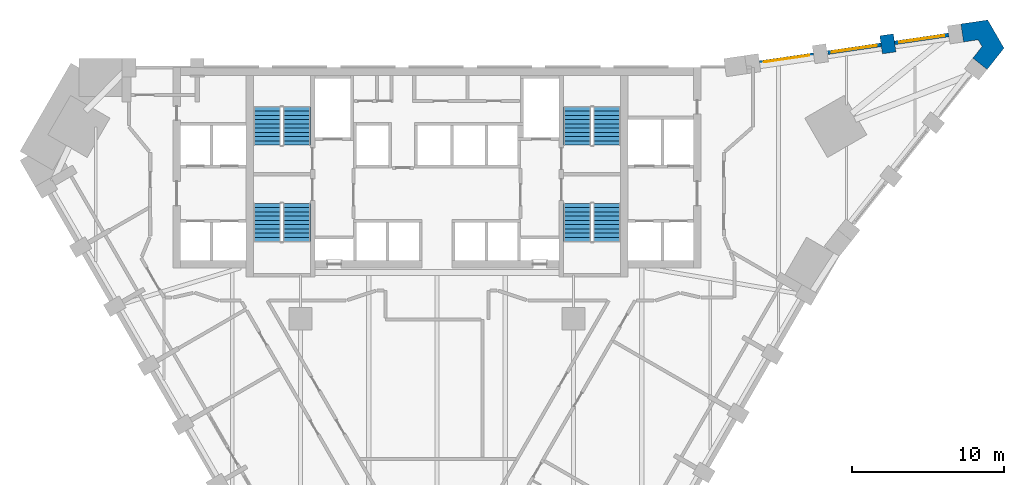
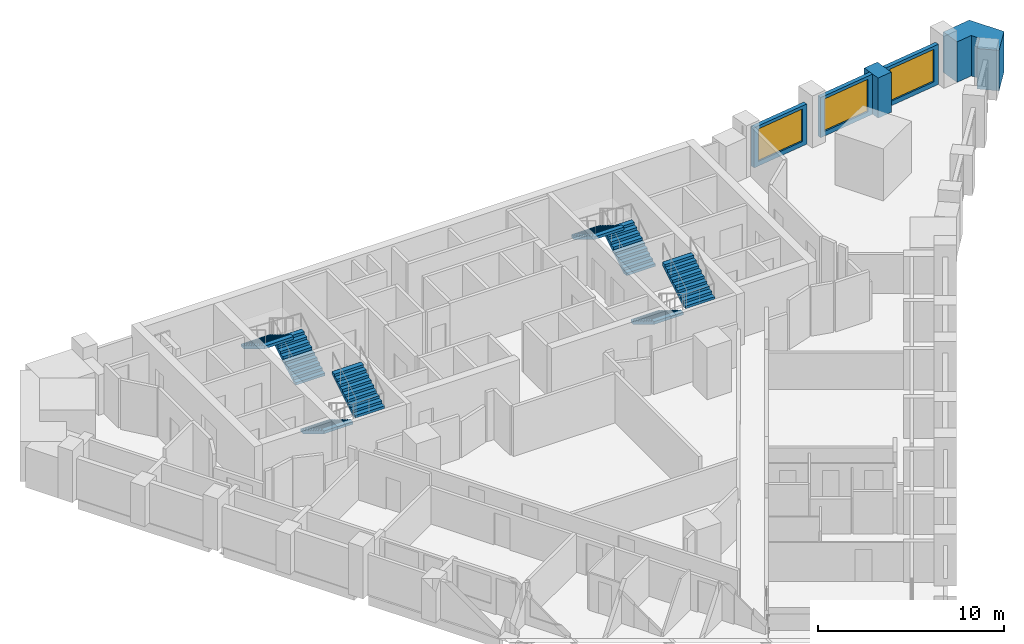
# One storey, part 9 of 10: 8 stair flights, 5 walls, 3 windows, 3 openings, 4 elements without a shape of their own.
"""IFC4 building model written with IfcOpenShell, lengths in metres."""

from ifc_helpers import new_model, si_unit, direction, frame, frame_2d, origin, place, context, subcontext, project, spatial, polyline, rectangle, outline, extrude, faceted_brep, source, transform, mapped, material, layer, layer_set, type_object, element, fill, aggregate, save


model = new_model("IFC4")

# Units and contexts
model_context = context("Model", 3, precision=1e-05, world=origin(), true_north=direction((0.0, 1.0)))
body_context = subcontext(model_context, "Body", "Model", "MODEL_VIEW")
ifc_project = project(units=[si_unit("LENGTHUNIT", "METRE"), si_unit("AREAUNIT", "SQUARE_METRE"), si_unit("VOLUMEUNIT", "CUBIC_METRE"), si_unit("PLANEANGLEUNIT", "RADIAN"), si_unit("MASSUNIT", "GRAM", prefix="KILO")], contexts=[model_context])

# Site, building, storey
site_placement = place(None, origin())
site = spatial("IfcSite", under=ifc_project, at=site_placement, CompositionType="ELEMENT")
building_placement = place(site_placement, origin())
building = spatial("IfcBuilding", under=site, at=building_placement, Name="Calabash Gate Tower", CompositionType="ELEMENT")
storey_placement = place(building_placement, frame((0.0, 0.0, 95.199951171875)))
storey = spatial("IfcBuildingStorey", under=building, at=storey_placement, Name="L20", CompositionType="ELEMENT", Elevation=95.199951171875)

# Walls
ifc_material_1 = material(Name="Terracotta brick masonry, exposed face", Category="masonry")
ifc_layer_1 = layer(ifc_material_1, 1.199951171875)
ifc_layer_set_1 = layer_set([ifc_layer_1], Name="Brick end wall 1200")
wall_type_1 = type_object("IfcWallType", Name="Brick end wall 1200", PredefinedType="SOLIDWALL", material=ifc_layer_set_1)
wall_1_placement = place(storey_placement, frame((29.63037109375, 21.217041015625, 0.0), z_axis=(0.0, 0.0, 1.0), x_axis=(0.144867198998, -0.989451107764, 0.0)))
element("IfcWall", 1, at=wall_1_placement, inside=storey, type_object=wall_type_1, Name="Brick pier S05 wedge5.1", PredefinedType="SOLIDWALL", context=body_context, shape_type="SweptSolid", body=[
    extrude(rectangle(XDim=1.199951171875, YDim=0.89990234375, at=frame_2d((0.60009765625, 0.0))), origin(), (0.0, 0.0, 1.0), 2.630126953125),
])
wall_2_placement = place(storey_placement, origin())
element("IfcWall", 2, at=wall_2_placement, inside=storey, type_object=wall_type_1, Name="Brick end wall S05 2", PredefinedType="SOLIDWALL", context=body_context, shape_type="SweptSolid", body=[
    extrude(outline(polyline([(35.92333984375, 20.443359375), (35.31884765625, 19.678955078125), (36.260009765625, 18.9345703125), (37.369873046875, 20.337890625), (36.298095703125, 22.1943359375), (34.5283203125, 21.934814453125), (34.701904296875, 20.74755859375), (35.666259765625, 20.888916015625), (35.92333984375, 20.443359375)])), origin(), (0.0, 0.0, 1.0), 2.650146484375),
])

# Wall, opening, window
ifc_material_2 = material(Name="Aluminium framed window wall with insulated spandrel", Category="aluminium")
ifc_layer_2 = layer(ifc_material_2, 0.25)
ifc_layer_set_2 = layer_set([ifc_layer_2], Name="Prow window wall 250")
wall_type_2 = type_object("IfcWallType", Name="Prow window wall 250", PredefinedType="ELEMENTEDWALL", material=ifc_layer_set_2)
wall_3_placement = place(storey_placement, frame((33.724609375, 21.210693359375, 0.0), z_axis=(0.0, 0.0, 1.0), x_axis=(-0.98942335115, -0.145056651687, 0.0)))
wall_3 = element("IfcWall", 3, at=wall_3_placement, inside=storey, type_object=wall_type_2, Name="Prow window wall S05 wedge5.1", PredefinedType="ELEMENTEDWALL", context=body_context, shape_type="SweptSolid", body=[
    extrude(rectangle(XDim=3.60009765625, YDim=0.25, at=frame_2d((1.800048828125, 0.0))), origin(), (0.0, 0.0, 1.0), 2.630126953125),
])
opening_1_placement = place(wall_3_placement, frame((0.300048828125, 0.0, 0.300048828125)))
opening_1 = element("IfcOpeningElement", 4, at=opening_1_placement, cuts=wall_3, Name="Opening WP1L-2130", PredefinedType="OPENING", context=body_context, shape_type="SweptSolid", body=[
    extrude(rectangle(XDim=3.0, YDim=2.1298828125, at=frame_2d((1.5, 1.06494140625))), frame((0.0, 0.135009765625, 0.0), z_axis=(0.0, -1.0, 0.0), x_axis=(1.0, 0.0, 0.0)), (0.0, 0.0, 1.0), 0.27001953125),
])
ifc_material_3 = material(Name="Anodised aluminium frame, bronze finish, impact-rated laminated clear glazing", Category="aluminium")
window_type = type_object("IfcWindowType", Name="Window WP1L 3000x2130", PartitioningType="DOUBLE_PANEL_VERTICAL", PredefinedType="WINDOW", material=ifc_material_3)
window_1_placement = place(opening_1_placement, origin())
window_1 = element("IfcWindow", 5, at=window_1_placement, inside=storey, type_object=window_type, Name="Prow window WP1L S05 wedge5.1", OverallHeight=2.1298828125, OverallWidth=3.0, PartitioningType="SINGLE_PANEL", PredefinedType="WINDOW", context=body_context, shape_type="SweptSolid", body=[
    extrude(rectangle(XDim=3.0, YDim=2.1298828125, at=frame_2d((1.5, 1.06494140625))), frame((0.0, 0.030029296875, 0.0), z_axis=(0.0, -1.0, 0.0), x_axis=(1.0, 0.0, 0.0)), (0.0, 0.0, 1.0), 0.06005859375),
])
fill(opening_1, window_1)

wall_4_placement = place(storey_placement, frame((29.27392578125, 20.558349609375, 0.0), z_axis=(0.0, 0.0, 1.0), x_axis=(-0.989427410985, -0.145028957081, 0.0)))
wall_4 = element("IfcWall", 6, at=wall_4_placement, inside=storey, type_object=wall_type_2, Name="Prow window wall S05 wedge5.2", PredefinedType="ELEMENTEDWALL", context=body_context, shape_type="SweptSolid", body=[
    extrude(rectangle(XDim=3.552001953125, YDim=0.25, at=frame_2d((1.77587890625, 0.0))), origin(), (0.0, 0.0, 1.0), 2.630126953125),
])
opening_2_placement = place(wall_4_placement, frame((0.302001953125, 0.0, 0.300048828125)))
opening_2 = element("IfcOpeningElement", 7, at=opening_2_placement, cuts=wall_4, Name="Opening WP1L-2130", PredefinedType="OPENING", context=body_context, shape_type="SweptSolid", body=[
    extrude(rectangle(XDim=3.0, YDim=2.1298828125, at=frame_2d((1.5, 1.06494140625))), frame((0.0, 0.135009765625, 0.0), z_axis=(0.0, -1.0, 0.0), x_axis=(1.0, 0.0, 0.0)), (0.0, 0.0, 1.0), 0.27001953125),
])
window_2_placement = place(opening_2_placement, origin())
window_2 = element("IfcWindow", 8, at=window_2_placement, inside=storey, type_object=window_type, Name="Prow window WP1L S05 wedge5.2", OverallHeight=2.1298828125, OverallWidth=3.0, PartitioningType="SINGLE_PANEL", PredefinedType="WINDOW", context=body_context, shape_type="SweptSolid", body=[
    extrude(rectangle(XDim=3.0, YDim=2.1298828125, at=frame_2d((1.5, 1.06494140625))), frame((0.0, 0.030029296875, 0.0), z_axis=(0.0, -1.0, 0.0), x_axis=(1.0, 0.0, 0.0)), (0.0, 0.0, 1.0), 0.06005859375),
])
fill(opening_2, window_2)

wall_5_placement = place(storey_placement, frame((24.819580078125, 19.905517578125, 0.0), z_axis=(0.0, 0.0, 1.0), x_axis=(-0.989433082017, -0.144990262464, 0.0)))
wall_5 = element("IfcWall", 9, at=wall_5_placement, inside=storey, type_object=wall_type_2, Name="Prow window wall S05 wedge5.3", PredefinedType="ELEMENTEDWALL", context=body_context, shape_type="SweptSolid", body=[
    extrude(rectangle(XDim=3.60009765625, YDim=0.25, at=frame_2d((1.800048828125, 0.0))), origin(), (0.0, 0.0, 1.0), 2.630126953125),
])
opening_3_placement = place(wall_5_placement, frame((0.300048828125, 0.0, 0.300048828125)))
opening_3 = element("IfcOpeningElement", 10, at=opening_3_placement, cuts=wall_5, Name="Opening WP1L-2130", PredefinedType="OPENING", context=body_context, shape_type="SweptSolid", body=[
    extrude(rectangle(XDim=3.0, YDim=2.1298828125, at=frame_2d((1.5, 1.06494140625))), frame((0.0, 0.135009765625, 0.0), z_axis=(0.0, -1.0, 0.0), x_axis=(1.0, 0.0, 0.0)), (0.0, 0.0, 1.0), 0.27001953125),
])
window_3_placement = place(opening_3_placement, origin())
window_3 = element("IfcWindow", 11, at=window_3_placement, inside=storey, type_object=window_type, Name="Prow window WP1L S05 wedge5.3", OverallHeight=2.1298828125, OverallWidth=3.0, PartitioningType="SINGLE_PANEL", PredefinedType="WINDOW", context=body_context, shape_type="SweptSolid", body=[
    extrude(rectangle(XDim=3.0, YDim=2.1298828125, at=frame_2d((1.5, 1.06494140625))), frame((0.0, 0.030029296875, 0.0), z_axis=(0.0, -1.0, 0.0), x_axis=(1.0, 0.0, 0.0)), (0.0, 0.0, 1.0), 0.06005859375),
])
fill(opening_3, window_3)

# Stair, stair flights
ifc_material_4 = material(Name="Concrete C40/50", Category="concrete")
stair_type = type_object("IfcStairType", Name="Exit stair 20 risers of 170 mm", PredefinedType="HALF_TURN_STAIR", material=ifc_material_4)
stair_1_placement = place(storey_placement, origin())
stair_1 = element("IfcStair", 12, at=stair_1_placement, inside=storey, type_object=stair_type, Name="L20 Exit stair ST1", PredefinedType="HALF_TURN_STAIR")
ifc_material_5 = material(Name="Concrete C40/50", Category="concrete")
stair_flight_type = type_object("IfcStairFlightType", Name="Exit stair flight SFL", PredefinedType="STRAIGHT", material=ifc_material_5)
shared_shape = source(origin(), body_context, "Body", "Brep", [
    faceted_brep([(-0.0009765625, -0.89990234375, 0.0), (0.2880859375, -0.89990234375, 0.0), (2.511962890625, -0.89990234375, 1.3544921875), (-0.0009765625, 0.89990234375, 0.0), (2.511962890625, 0.89990234375, 1.3544921875), (0.2880859375, 0.89990234375, 0.0), (2.511962890625, -0.89990234375, 1.5419921875), (2.510986328125, -0.89990234375, 1.5419921875), (2.510986328125, 0.89990234375, 1.5419921875), (2.511962890625, 0.89990234375, 1.5419921875), (2.510986328125, -0.89990234375, 1.530029296875), (2.510986328125, 0.89990234375, 1.530029296875), (2.23193359375, -0.89990234375, 1.530029296875), (2.23193359375, 0.89990234375, 1.530029296875), (2.23193359375, -0.89990234375, 1.360107421875), (2.23193359375, 0.89990234375, 1.360107421875), (1.952880859375, -0.89990234375, 1.360107421875), (1.952880859375, 0.89990234375, 1.360107421875), (1.952880859375, -0.89990234375, 1.18994140625), (1.952880859375, 0.89990234375, 1.18994140625), (1.674072265625, -0.89990234375, 1.18994140625), (1.674072265625, -0.89990234375, 1.02001953125), (1.674072265625, 0.89990234375, 1.02001953125), (1.674072265625, 0.89990234375, 1.18994140625), (1.39501953125, -0.89990234375, 1.02001953125), (1.39501953125, -0.89990234375, 0.85009765625), (1.39501953125, 0.89990234375, 0.85009765625), (1.39501953125, 0.89990234375, 1.02001953125), (1.115966796875, -0.89990234375, 0.85009765625), (1.115966796875, -0.89990234375, 0.679931640625), (1.115966796875, 0.89990234375, 0.679931640625), (1.115966796875, 0.89990234375, 0.85009765625), (0.8369140625, -0.89990234375, 0.679931640625), (0.8369140625, -0.89990234375, 0.510009765625), (0.8369140625, 0.89990234375, 0.510009765625), (0.8369140625, 0.89990234375, 0.679931640625), (0.55810546875, -0.89990234375, 0.510009765625), (0.55810546875, -0.89990234375, 0.340087890625), (0.55810546875, 0.89990234375, 0.340087890625), (0.55810546875, 0.89990234375, 0.510009765625), (0.279052734375, -0.89990234375, 0.340087890625), (0.279052734375, -0.89990234375, 0.169921875), (0.279052734375, 0.89990234375, 0.169921875), (0.279052734375, 0.89990234375, 0.340087890625), (-0.0009765625, -0.89990234375, 0.169921875), (-0.0009765625, 0.89990234375, 0.169921875), (0.2880859375, -0.360107421875, 0.0), (2.511962890625, -0.360107421875, 1.3544921875), (0.2880859375, -0.179931640625, 0.0), (2.511962890625, -0.179931640625, 1.3544921875), (0.2880859375, 0.0, 0.0), (2.511962890625, 0.0, 1.3544921875), (0.2880859375, 0.179931640625, 0.0), (2.511962890625, 0.179931640625, 1.3544921875), (0.2880859375, 0.360107421875, 0.0), (2.511962890625, 0.360107421875, 1.3544921875), (2.511962890625, -0.360107421875, 1.5419921875), (2.511962890625, -0.179931640625, 1.5419921875), (2.511962890625, 0.0, 1.5419921875), (2.511962890625, 0.179931640625, 1.5419921875), (2.511962890625, 0.360107421875, 1.5419921875), (2.510986328125, -0.360107421875, 1.5419921875), (2.510986328125, -0.179931640625, 1.5419921875), (2.510986328125, 0.0, 1.5419921875), (2.510986328125, 0.179931640625, 1.5419921875), (2.510986328125, 0.360107421875, 1.5419921875), (2.510986328125, -0.360107421875, 1.530029296875), (2.510986328125, -0.179931640625, 1.530029296875), (2.510986328125, 0.0, 1.530029296875), (2.510986328125, 0.179931640625, 1.530029296875), (2.510986328125, 0.360107421875, 1.530029296875), (2.23193359375, -0.360107421875, 1.530029296875), (2.23193359375, -0.179931640625, 1.530029296875), (2.23193359375, 0.0, 1.530029296875), (2.23193359375, 0.179931640625, 1.530029296875), (2.23193359375, 0.360107421875, 1.530029296875), (2.23193359375, -0.360107421875, 1.360107421875), (2.23193359375, -0.179931640625, 1.360107421875), (2.23193359375, 0.0, 1.360107421875), (2.23193359375, 0.179931640625, 1.360107421875), (2.23193359375, 0.360107421875, 1.360107421875), (1.952880859375, -0.360107421875, 1.360107421875), (1.952880859375, -0.179931640625, 1.360107421875), (1.952880859375, 0.0, 1.360107421875), (1.952880859375, 0.179931640625, 1.360107421875), (1.952880859375, 0.360107421875, 1.360107421875), (1.952880859375, -0.360107421875, 1.18994140625), (1.952880859375, -0.179931640625, 1.18994140625), (1.952880859375, 0.0, 1.18994140625), (1.952880859375, 0.179931640625, 1.18994140625), (1.952880859375, 0.360107421875, 1.18994140625), (1.674072265625, -0.360107421875, 1.18994140625), (1.674072265625, -0.179931640625, 1.18994140625), (1.674072265625, 0.0, 1.18994140625), (1.674072265625, 0.179931640625, 1.18994140625), (1.674072265625, 0.360107421875, 1.18994140625), (1.674072265625, -0.360107421875, 1.02001953125), (1.674072265625, -0.179931640625, 1.02001953125), (1.674072265625, 0.0, 1.02001953125), (1.674072265625, 0.179931640625, 1.02001953125), (1.674072265625, 0.360107421875, 1.02001953125), (1.39501953125, -0.360107421875, 1.02001953125), (1.39501953125, -0.179931640625, 1.02001953125), (1.39501953125, 0.0, 1.02001953125), (1.39501953125, 0.179931640625, 1.02001953125), (1.39501953125, 0.360107421875, 1.02001953125), (1.39501953125, -0.360107421875, 0.85009765625), (1.39501953125, -0.179931640625, 0.85009765625), (1.39501953125, 0.0, 0.85009765625), (1.39501953125, 0.179931640625, 0.85009765625), (1.39501953125, 0.360107421875, 0.85009765625), (1.115966796875, -0.360107421875, 0.85009765625), (1.115966796875, -0.179931640625, 0.85009765625), (1.115966796875, 0.0, 0.85009765625), (1.115966796875, 0.179931640625, 0.85009765625), (1.115966796875, 0.360107421875, 0.85009765625), (1.115966796875, -0.360107421875, 0.679931640625), (1.115966796875, -0.179931640625, 0.679931640625), (1.115966796875, 0.0, 0.679931640625), (1.115966796875, 0.179931640625, 0.679931640625), (1.115966796875, 0.360107421875, 0.679931640625), (0.8369140625, -0.360107421875, 0.679931640625), (0.8369140625, -0.179931640625, 0.679931640625), (0.8369140625, 0.0, 0.679931640625), (0.8369140625, 0.179931640625, 0.679931640625), (0.8369140625, 0.360107421875, 0.679931640625), (0.8369140625, -0.360107421875, 0.510009765625), (0.8369140625, -0.179931640625, 0.510009765625), (0.8369140625, 0.0, 0.510009765625), (0.8369140625, 0.179931640625, 0.510009765625), (0.8369140625, 0.360107421875, 0.510009765625), (0.55810546875, -0.360107421875, 0.510009765625), (0.55810546875, -0.179931640625, 0.510009765625), (0.55810546875, 0.0, 0.510009765625), (0.55810546875, 0.179931640625, 0.510009765625), (0.55810546875, 0.360107421875, 0.510009765625), (0.55810546875, -0.360107421875, 0.340087890625), (0.55810546875, -0.179931640625, 0.340087890625), (0.55810546875, 0.0, 0.340087890625), (0.55810546875, 0.179931640625, 0.340087890625), (0.55810546875, 0.360107421875, 0.340087890625), (0.279052734375, -0.360107421875, 0.340087890625), (0.279052734375, -0.179931640625, 0.340087890625), (0.279052734375, 0.0, 0.340087890625), (0.279052734375, 0.179931640625, 0.340087890625), (0.279052734375, 0.360107421875, 0.340087890625), (0.279052734375, -0.360107421875, 0.169921875), (0.279052734375, -0.179931640625, 0.169921875), (0.279052734375, 0.0, 0.169921875), (0.279052734375, 0.179931640625, 0.169921875), (0.279052734375, 0.360107421875, 0.169921875), (-0.0009765625, -0.360107421875, 0.169921875), (-0.0009765625, -0.179931640625, 0.169921875), (-0.0009765625, 0.0, 0.169921875), (-0.0009765625, 0.179931640625, 0.169921875), (-0.0009765625, 0.360107421875, 0.169921875), (-0.0009765625, -0.360107421875, 0.0), (-0.0009765625, -0.179931640625, 0.0), (-0.0009765625, 0.0, 0.0), (-0.0009765625, 0.179931640625, 0.0), (-0.0009765625, 0.360107421875, 0.0)], [[[0, 1, 2]], [[3, 4, 5]], [[2, 6, 7]], [[4, 8, 9]], [[2, 7, 10]], [[4, 11, 8]], [[2, 10, 12]], [[4, 13, 11]], [[2, 12, 14]], [[4, 15, 13]], [[2, 14, 16]], [[4, 17, 15]], [[2, 16, 18]], [[4, 19, 17]], [[18, 20, 21]], [[19, 22, 23]], [[2, 18, 21]], [[4, 22, 19]], [[21, 24, 25]], [[22, 26, 27]], [[2, 21, 25]], [[4, 26, 22]], [[25, 28, 29]], [[26, 30, 31]], [[2, 25, 29]], [[4, 30, 26]], [[29, 32, 33]], [[30, 34, 35]], [[2, 29, 33]], [[4, 34, 30]], [[33, 36, 37]], [[34, 38, 39]], [[2, 33, 37]], [[4, 38, 34]], [[37, 40, 41]], [[38, 42, 43]], [[2, 37, 41]], [[4, 42, 38]], [[0, 2, 41]], [[3, 42, 4]], [[41, 44, 0]], [[42, 3, 45]], [[1, 46, 2]], [[46, 47, 2]], [[46, 48, 47]], [[48, 49, 47]], [[48, 50, 49]], [[50, 51, 49]], [[50, 52, 53]], [[50, 53, 51]], [[52, 54, 55]], [[52, 55, 53]], [[54, 5, 4]], [[54, 4, 55]], [[2, 47, 6]], [[47, 56, 6]], [[47, 49, 56]], [[49, 57, 56]], [[49, 51, 57]], [[51, 58, 57]], [[51, 53, 59]], [[51, 59, 58]], [[53, 55, 60]], [[53, 60, 59]], [[55, 4, 9]], [[55, 9, 60]], [[6, 56, 7]], [[56, 61, 7]], [[56, 57, 61]], [[57, 62, 61]], [[57, 58, 62]], [[58, 63, 62]], [[58, 59, 64]], [[58, 64, 63]], [[59, 60, 65]], [[59, 65, 64]], [[60, 9, 8]], [[60, 8, 65]], [[7, 61, 10]], [[61, 66, 10]], [[61, 62, 66]], [[62, 67, 66]], [[62, 63, 67]], [[63, 68, 67]], [[63, 64, 69]], [[63, 69, 68]], [[64, 65, 70]], [[64, 70, 69]], [[65, 8, 11]], [[65, 11, 70]], [[10, 66, 12]], [[66, 71, 12]], [[66, 67, 71]], [[67, 72, 71]], [[67, 68, 72]], [[68, 73, 72]], [[68, 69, 74]], [[68, 74, 73]], [[69, 70, 75]], [[69, 75, 74]], [[70, 11, 13]], [[70, 13, 75]], [[12, 71, 14]], [[71, 76, 14]], [[71, 72, 76]], [[72, 77, 76]], [[72, 73, 77]], [[73, 78, 77]], [[73, 74, 79]], [[73, 79, 78]], [[74, 75, 80]], [[74, 80, 79]], [[75, 13, 15]], [[75, 15, 80]], [[14, 76, 16]], [[76, 81, 16]], [[76, 77, 81]], [[77, 82, 81]], [[77, 78, 82]], [[78, 83, 82]], [[78, 79, 84]], [[78, 84, 83]], [[79, 80, 85]], [[79, 85, 84]], [[80, 15, 17]], [[80, 17, 85]], [[16, 81, 18]], [[81, 86, 18]], [[81, 82, 86]], [[82, 87, 86]], [[82, 83, 87]], [[83, 88, 87]], [[83, 84, 89]], [[83, 89, 88]], [[84, 85, 90]], [[84, 90, 89]], [[85, 17, 19]], [[85, 19, 90]], [[18, 86, 20]], [[86, 91, 20]], [[86, 87, 91]], [[87, 92, 91]], [[87, 88, 92]], [[88, 93, 92]], [[88, 89, 94]], [[88, 94, 93]], [[89, 90, 95]], [[89, 95, 94]], [[90, 19, 23]], [[90, 23, 95]], [[20, 91, 21]], [[91, 96, 21]], [[91, 92, 96]], [[92, 97, 96]], [[92, 93, 97]], [[93, 98, 97]], [[93, 94, 99]], [[93, 99, 98]], [[94, 95, 100]], [[94, 100, 99]], [[95, 23, 22]], [[95, 22, 100]], [[21, 96, 24]], [[96, 101, 24]], [[96, 97, 101]], [[97, 102, 101]], [[97, 98, 102]], [[98, 103, 102]], [[98, 99, 104]], [[98, 104, 103]], [[99, 100, 105]], [[99, 105, 104]], [[100, 22, 27]], [[100, 27, 105]], [[24, 101, 25]], [[101, 106, 25]], [[101, 102, 106]], [[102, 107, 106]], [[102, 103, 107]], [[103, 108, 107]], [[103, 104, 109]], [[103, 109, 108]], [[104, 105, 110]], [[104, 110, 109]], [[105, 27, 26]], [[105, 26, 110]], [[25, 106, 28]], [[106, 111, 28]], [[106, 107, 111]], [[107, 112, 111]], [[107, 108, 112]], [[108, 113, 112]], [[108, 109, 114]], [[108, 114, 113]], [[109, 110, 115]], [[109, 115, 114]], [[110, 26, 31]], [[110, 31, 115]], [[28, 111, 29]], [[111, 116, 29]], [[111, 112, 116]], [[112, 117, 116]], [[112, 113, 117]], [[113, 118, 117]], [[113, 114, 119]], [[113, 119, 118]], [[114, 115, 120]], [[114, 120, 119]], [[115, 31, 30]], [[115, 30, 120]], [[29, 116, 32]], [[116, 121, 32]], [[116, 117, 121]], [[117, 122, 121]], [[117, 118, 122]], [[118, 123, 122]], [[118, 119, 124]], [[118, 124, 123]], [[119, 120, 125]], [[119, 125, 124]], [[120, 30, 35]], [[120, 35, 125]], [[32, 121, 33]], [[121, 126, 33]], [[121, 122, 126]], [[122, 127, 126]], [[122, 123, 127]], [[123, 128, 127]], [[123, 124, 129]], [[123, 129, 128]], [[124, 125, 130]], [[124, 130, 129]], [[125, 35, 34]], [[125, 34, 130]], [[33, 126, 36]], [[126, 131, 36]], [[126, 127, 131]], [[127, 132, 131]], [[127, 128, 132]], [[128, 133, 132]], [[128, 129, 134]], [[128, 134, 133]], [[129, 130, 135]], [[129, 135, 134]], [[130, 34, 39]], [[130, 39, 135]], [[36, 131, 37]], [[131, 136, 37]], [[131, 132, 136]], [[132, 137, 136]], [[132, 133, 137]], [[133, 138, 137]], [[133, 134, 139]], [[133, 139, 138]], [[134, 135, 140]], [[134, 140, 139]], [[135, 39, 38]], [[135, 38, 140]], [[37, 136, 40]], [[136, 141, 40]], [[136, 137, 141]], [[137, 142, 141]], [[137, 138, 142]], [[138, 143, 142]], [[138, 139, 144]], [[138, 144, 143]], [[139, 140, 145]], [[139, 145, 144]], [[140, 38, 43]], [[140, 43, 145]], [[40, 141, 41]], [[141, 146, 41]], [[141, 142, 146]], [[142, 147, 146]], [[142, 143, 147]], [[143, 148, 147]], [[143, 144, 149]], [[143, 149, 148]], [[144, 145, 150]], [[144, 150, 149]], [[145, 43, 42]], [[145, 42, 150]], [[41, 146, 44]], [[146, 151, 44]], [[146, 147, 151]], [[147, 152, 151]], [[147, 148, 152]], [[148, 153, 152]], [[148, 149, 154]], [[148, 154, 153]], [[149, 150, 155]], [[149, 155, 154]], [[150, 42, 45]], [[150, 45, 155]], [[44, 151, 0]], [[151, 156, 0]], [[151, 152, 156]], [[152, 157, 156]], [[152, 153, 157]], [[153, 158, 157]], [[153, 154, 159]], [[153, 159, 158]], [[154, 155, 160]], [[154, 160, 159]], [[155, 45, 3]], [[155, 3, 160]], [[0, 156, 1]], [[156, 46, 1]], [[156, 157, 46]], [[157, 48, 46]], [[157, 158, 48]], [[158, 50, 48]], [[158, 159, 52]], [[158, 52, 50]], [[159, 160, 54]], [[159, 54, 52]], [[160, 3, 5]], [[160, 5, 54]]]),
])
stair_flight_1_placement = place(storey_placement, frame((-9.25, 13.95263671875, 0.0), z_axis=(0.0, 0.0, 1.0), x_axis=(0.0, 1.0, 0.0)))
stair_flight_1 = element("IfcStairFlight", 13, at=stair_flight_1_placement, type_object=stair_flight_type, Name="ST1 flight 1", NumberOfRisers=10, NumberOfTreads=9, PredefinedType="STRAIGHT", RiserHeight=0.17, TreadLength=0.279, context=body_context, shape_type="MappedRepresentation", body=[
    mapped(shared_shape, transform((0.0, 0.0, 0.0), scale=1.0)),
])
stair_flight_2_placement = place(storey_placement, frame((-11.199951171875, 16.463623046875, 1.699951171875), z_axis=(0.0, 0.0, 1.0), x_axis=(0.0, -1.0, 0.0)))
stair_flight_2 = element("IfcStairFlight", 14, at=stair_flight_2_placement, type_object=stair_flight_type, Name="ST1 flight 2", NumberOfRisers=10, NumberOfTreads=9, PredefinedType="STRAIGHT", RiserHeight=0.17, TreadLength=0.279, context=body_context, shape_type="MappedRepresentation", body=[
    mapped(shared_shape, transform((0.0, 0.0, 0.0), scale=1.0)),
])
aggregate(stair_1, [stair_flight_1, stair_flight_2])

stair_2_placement = place(storey_placement, origin())
stair_2 = element("IfcStair", 15, at=stair_2_placement, inside=storey, type_object=stair_type, Name="L20 Exit stair ST2", PredefinedType="HALF_TURN_STAIR")
stair_flight_3_placement = place(storey_placement, frame((-11.199951171875, 10.1025390625, 0.0), z_axis=(0.0, 0.0, 1.0), x_axis=(0.0, -1.0, 0.0)))
stair_flight_3 = element("IfcStairFlight", 16, at=stair_flight_3_placement, type_object=stair_flight_type, Name="ST2 flight 1", NumberOfRisers=10, NumberOfTreads=9, PredefinedType="STRAIGHT", RiserHeight=0.17, TreadLength=0.279, context=body_context, shape_type="MappedRepresentation", body=[
    mapped(shared_shape, transform((0.0, 0.0, 0.0), scale=1.0)),
])
stair_flight_4_placement = place(storey_placement, frame((-9.25, 7.591552734375, 1.699951171875), z_axis=(0.0, 0.0, 1.0), x_axis=(0.0, 1.0, 0.0)))
stair_flight_4 = element("IfcStairFlight", 17, at=stair_flight_4_placement, type_object=stair_flight_type, Name="ST2 flight 2", NumberOfRisers=10, NumberOfTreads=9, PredefinedType="STRAIGHT", RiserHeight=0.17, TreadLength=0.279, context=body_context, shape_type="MappedRepresentation", body=[
    mapped(shared_shape, transform((0.0, 0.0, 0.0), scale=1.0)),
])
aggregate(stair_2, [stair_flight_3, stair_flight_4])

stair_3_placement = place(storey_placement, origin())
stair_3 = element("IfcStair", 18, at=stair_3_placement, inside=storey, type_object=stair_type, Name="L20 Exit stair ST3", PredefinedType="HALF_TURN_STAIR")
stair_flight_5_placement = place(storey_placement, frame((11.199951171875, 13.95263671875, 0.0), z_axis=(0.0, 0.0, 1.0), x_axis=(0.0, 1.0, 0.0)))
stair_flight_5 = element("IfcStairFlight", 19, at=stair_flight_5_placement, type_object=stair_flight_type, Name="ST3 flight 1", NumberOfRisers=10, NumberOfTreads=9, PredefinedType="STRAIGHT", RiserHeight=0.17, TreadLength=0.279, context=body_context, shape_type="MappedRepresentation", body=[
    mapped(shared_shape, transform((0.0, 0.0, 0.0), scale=1.0)),
])
stair_flight_6_placement = place(storey_placement, frame((9.25, 16.463623046875, 1.699951171875), z_axis=(0.0, 0.0, 1.0), x_axis=(0.0, -1.0, 0.0)))
stair_flight_6 = element("IfcStairFlight", 20, at=stair_flight_6_placement, type_object=stair_flight_type, Name="ST3 flight 2", NumberOfRisers=10, NumberOfTreads=9, PredefinedType="STRAIGHT", RiserHeight=0.17, TreadLength=0.279, context=body_context, shape_type="MappedRepresentation", body=[
    mapped(shared_shape, transform((0.0, 0.0, 0.0), scale=1.0)),
])
aggregate(stair_3, [stair_flight_5, stair_flight_6])

stair_4_placement = place(storey_placement, origin())
stair_4 = element("IfcStair", 21, at=stair_4_placement, inside=storey, type_object=stair_type, Name="L20 Exit stair ST4", PredefinedType="HALF_TURN_STAIR")
stair_flight_7_placement = place(storey_placement, frame((9.25, 10.1025390625, 0.0), z_axis=(0.0, 0.0, 1.0), x_axis=(0.0, -1.0, 0.0)))
stair_flight_7 = element("IfcStairFlight", 22, at=stair_flight_7_placement, type_object=stair_flight_type, Name="ST4 flight 1", NumberOfRisers=10, NumberOfTreads=9, PredefinedType="STRAIGHT", RiserHeight=0.17, TreadLength=0.279, context=body_context, shape_type="MappedRepresentation", body=[
    mapped(shared_shape, transform((0.0, 0.0, 0.0), scale=1.0)),
])
stair_flight_8_placement = place(storey_placement, frame((11.199951171875, 7.591552734375, 1.699951171875), z_axis=(0.0, 0.0, 1.0), x_axis=(0.0, 1.0, 0.0)))
stair_flight_8 = element("IfcStairFlight", 23, at=stair_flight_8_placement, type_object=stair_flight_type, Name="ST4 flight 2", NumberOfRisers=10, NumberOfTreads=9, PredefinedType="STRAIGHT", RiserHeight=0.17, TreadLength=0.279, context=body_context, shape_type="MappedRepresentation", body=[
    mapped(shared_shape, transform((0.0, 0.0, 0.0), scale=1.0)),
])
aggregate(stair_4, [stair_flight_7, stair_flight_8])

save(model, "model.ifc")
